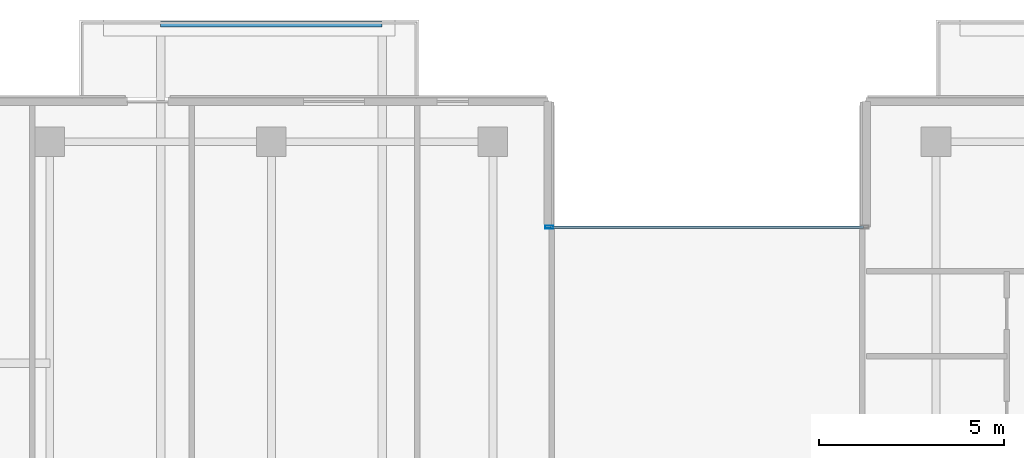
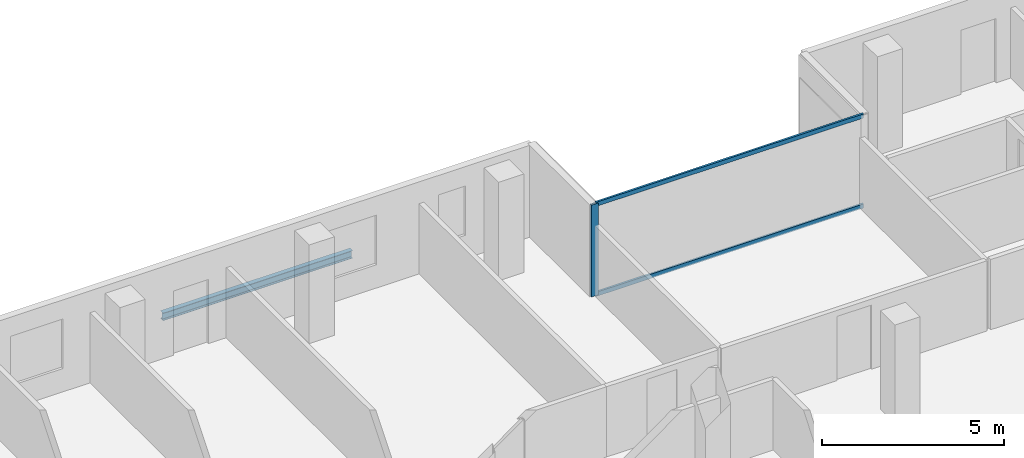
# One storey, part 10 of 29: 3 members, 1 beam, 1 element without a shape of its own.
"""IFC4 building model written with IfcOpenShell, lengths in metres."""

from ifc_helpers import new_model, si_unit, direction, frame, origin, origin_2d, place, context, subcontext, project, spatial, hollow_rectangle, i_section, extrude, material, layer, layer_set, material_profile, profile_set, type_object, element, aggregate, save


model = new_model("IFC4")

# Units and contexts
model_context = context("Model", 3, precision=1e-05, world=origin(), true_north=direction((0.0, 1.0)))
body_context = subcontext(model_context, "Body", "Model", "MODEL_VIEW")
ifc_project = project(units=[si_unit("LENGTHUNIT", "METRE"), si_unit("AREAUNIT", "SQUARE_METRE"), si_unit("VOLUMEUNIT", "CUBIC_METRE"), si_unit("PLANEANGLEUNIT", "RADIAN"), si_unit("MASSUNIT", "GRAM", prefix="KILO")], contexts=[model_context])

# Site, building, storey
site_placement = place(None, origin())
site = spatial("IfcSite", under=ifc_project, at=site_placement, CompositionType="ELEMENT")
building_placement = place(site_placement, origin())
building = spatial("IfcBuilding", under=site, at=building_placement, Name="Tanjung Sevakor Pilgrim Tower", CompositionType="ELEMENT")
storey_placement = place(building_placement, frame((0.0, 0.0, 188.429931640625)))
storey = spatial("IfcBuildingStorey", under=building, at=storey_placement, Name="L52", CompositionType="ELEMENT", Elevation=188.429931640625)

# Beam
ifc_material_1 = material(Name="Steel S355J2", Category="steel")
ifc_material_profile_1 = material_profile(ifc_material_1, i_section(OverallWidth=0.146484375, OverallDepth=0.256103515625, WebThickness=0.00634765625, FlangeThickness=0.010986328125, FilletRadius=0.007568359375, at=origin_2d()))
ifc_profile_set_1 = profile_set([ifc_material_profile_1], Name="Steel S355J2")
beam_type = type_object("IfcBeamType", Name="BM-B-J6-UB_254x146x37", PredefinedType="JOIST", material=ifc_profile_set_1)
beam_placement = place(storey_placement, frame((33.0, 57.1298828125, -0.327880859375), z_axis=(1.0, 0.0, 0.0), x_axis=(0.0, 1.0, 0.0)))
element("IfcBeam", 1, at=beam_placement, inside=storey, type_object=beam_type, Name="L52 Balcony Rim Tie MAIN-N1", PredefinedType="JOIST", context=body_context, shape_type="SweptSolid", body=[
    extrude(i_section(OverallWidth=0.146484375, OverallDepth=0.256103515625, WebThickness=0.00634765625, FlangeThickness=0.010986328125, FilletRadius=0.007568359375, at=origin_2d()), origin(), (0.0, 0.0, 1.0), 6.0),
])

# Curtain wall, members
ifc_material_2 = material(Name="Aluminium 6063-T6 and Low-E Glass", Category="aluminium")
ifc_layer = layer(ifc_material_2, 0.179931640625)
ifc_layer_set = layer_set([ifc_layer], Name="CW-SYS-CLEFT")
curtain_wall_type = type_object("IfcCurtainWallType", Name="CW-SYS-CLEFT", PredefinedType="NOTDEFINED", material=ifc_layer_set)
curtain_wall_placement = place(storey_placement, origin())
curtain_wall = element("IfcCurtainWall", 2, at=curtain_wall_placement, inside=storey, type_object=curtain_wall_type, Name="L52 Curtain Wall CW-CLF-L52-10", PredefinedType="NOTDEFINED")
ifc_material_3 = material(Name="Aluminium 6063-T6", Category="aluminium")
ifc_material_profile_2 = material_profile(ifc_material_3, hollow_rectangle(XDim=0.074951171875, YDim=0.219970703125, WallThickness=0.0048828125, at=origin_2d()))
ifc_profile_set_2 = profile_set([ifc_material_profile_2], Name="Aluminium 6063-T6")
member_type_1 = type_object("IfcMemberType", Name="TYPE-CWM-2", PredefinedType="MULLION", material=ifc_profile_set_2)
member_1_placement = place(storey_placement, frame((43.527587890625, 51.639892578125, 0.0), z_axis=(0.0, 0.0, 1.0), x_axis=(0.0, -1.0, 0.0)))
member_1 = element("IfcMember", 3, at=member_1_placement, type_object=member_type_1, Name="CW-CLF mullion 2", PredefinedType="MULLION", context=body_context, shape_type="SweptSolid", body=[
    extrude(hollow_rectangle(XDim=0.074951171875, YDim=0.219970703125, WallThickness=0.0048828125, at=origin_2d()), origin(), (0.0, 0.0, 1.0), 3.080078125),
])
ifc_material_4 = material(Name="Aluminium 6063-T6", Category="aluminium")
ifc_material_profile_3 = material_profile(ifc_material_4, hollow_rectangle(XDim=0.06494140625, YDim=0.139892578125, WallThickness=0.00390625, at=origin_2d()))
ifc_profile_set_3 = profile_set([ifc_material_profile_3], Name="Aluminium 6063-T6")
member_type_2 = type_object("IfcMemberType", Name="TYPE-CWT-1", PredefinedType="USERDEFINED", material=ifc_profile_set_3)
member_2_placement = place(storey_placement, frame((52.034912109375, 51.639892578125, 0.032470703125), z_axis=(-1.0, 0.0, 0.0), x_axis=(0.0, -1.0, 0.0)))
member_2 = element("IfcMember", 4, at=member_2_placement, type_object=member_type_2, Name="CW-CLF transom 1.1", ObjectType="TRANSOM", PredefinedType="USERDEFINED", context=body_context, shape_type="SweptSolid", body=[
    extrude(hollow_rectangle(XDim=0.06494140625, YDim=0.139892578125, WallThickness=0.00390625, at=origin_2d()), origin(), (0.0, 0.0, 1.0), 8.469970703125),
])
member_3_placement = place(storey_placement, frame((52.034912109375, 51.639892578125, 3.047607421875), z_axis=(-1.0, 0.0, 0.0), x_axis=(0.0, -1.0, 0.0)))
member_3 = element("IfcMember", 5, at=member_3_placement, type_object=member_type_2, Name="CW-CLF transom 1.2", ObjectType="TRANSOM", PredefinedType="USERDEFINED", context=body_context, shape_type="SweptSolid", body=[
    extrude(hollow_rectangle(XDim=0.06494140625, YDim=0.139892578125, WallThickness=0.00390625, at=origin_2d()), origin(), (0.0, 0.0, 1.0), 8.469970703125),
])
aggregate(curtain_wall, [member_1, member_2, member_3])

save(model, "model.ifc")
